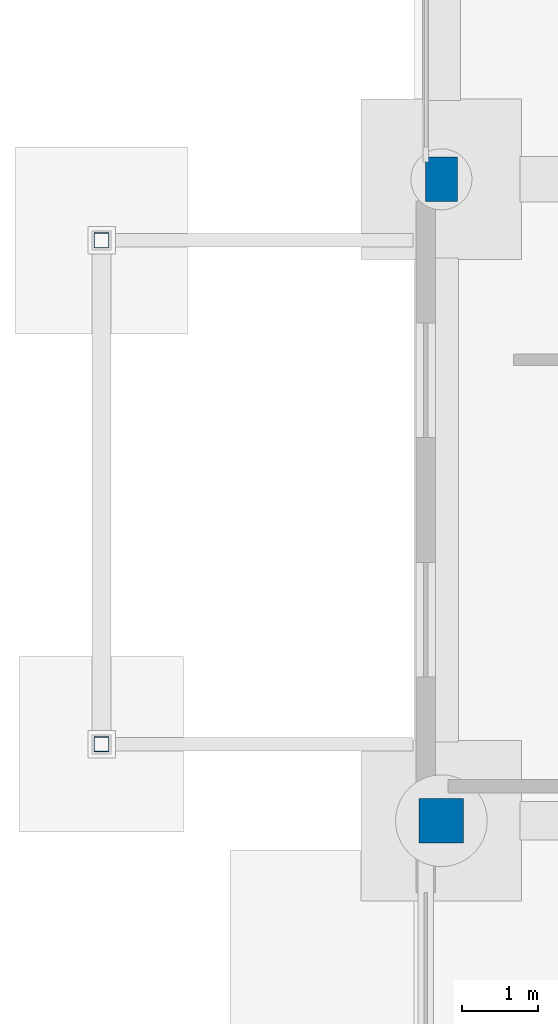
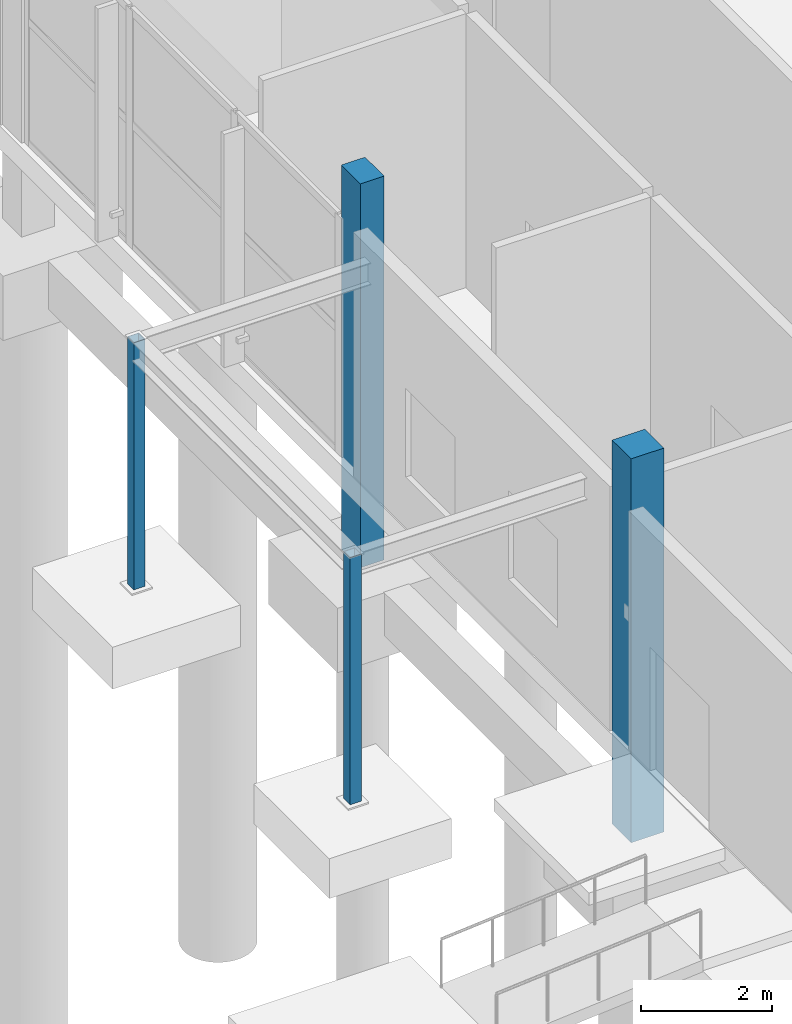
# One storey, part 13 of 88: 4 columns.
"""IFC4 building model written with IfcOpenShell, lengths in metres."""

from ifc_helpers import new_model, si_unit, direction, frame, origin, origin_2d, place, context, subcontext, project, spatial, rectangle, hollow_rectangle, extrude, material, material_profile, profile_set, type_object, element, save


model = new_model("IFC4")

# Units and contexts
model_context = context("Model", 3, precision=1e-05, world=origin(), true_north=direction((0.0, 1.0)))
body_context = subcontext(model_context, "Body", "Model", "MODEL_VIEW")
ifc_project = project(units=[si_unit("LENGTHUNIT", "METRE"), si_unit("AREAUNIT", "SQUARE_METRE"), si_unit("VOLUMEUNIT", "CUBIC_METRE"), si_unit("PLANEANGLEUNIT", "RADIAN"), si_unit("MASSUNIT", "GRAM", prefix="KILO")], contexts=[model_context])

# Site, building, storey
site_placement = place(None, origin())
site = spatial("IfcSite", under=ifc_project, at=site_placement, CompositionType="ELEMENT")
building_placement = place(site_placement, origin())
building = spatial("IfcBuilding", under=site, at=building_placement, Name="Birchvale Park Specialist Clinic", CompositionType="ELEMENT")
storey_placement = place(building_placement, origin())
storey = spatial("IfcBuildingStorey", under=building, at=storey_placement, Name="L00", CompositionType="ELEMENT", Elevation=0.0)

# Columns
ifc_material_1 = material(Name="Concrete C40/50", Category="concrete")
ifc_material_profile_1 = material_profile(ifc_material_1, rectangle(XDim=0.580078125, YDim=0.580078125, at=origin_2d()), Name="RC-580x580")
ifc_profile_set_1 = profile_set([ifc_material_profile_1], Name="Concrete C40/50")
column_type_1 = type_object("IfcColumnType", Name="COL-EXT-C03", PredefinedType="COLUMN", material=ifc_profile_set_1)
column_1_placement = place(storey_placement, frame((128.35009765625, 82.800048828125, -1.75), z_axis=(0.0, 0.0, 1.0), x_axis=(1.0, 0.0, 0.0)))
element("IfcColumn", 1, at=column_1_placement, inside=storey, type_object=column_type_1, Name="V6 L00 column 3", PredefinedType="COLUMN", context=body_context, shape_type="SweptSolid", body=[
    extrude(rectangle(XDim=0.580078125, YDim=0.580078125, at=origin_2d()), origin(), (0.0, 0.0, 1.0), 7.14990234375),
])
ifc_material_profile_2 = material_profile(ifc_material_1, rectangle(XDim=0.419921875, YDim=0.580078125, at=origin_2d()), Name="RC-420x580")
ifc_profile_set_2 = profile_set([ifc_material_profile_2], Name="Concrete C40/50")
column_type_2 = type_object("IfcColumnType", Name="COL-EXT-C10", PredefinedType="COLUMN", material=ifc_profile_set_2)
column_2_placement = place(storey_placement, frame((128.35009765625, 91.199951171875, -1.75), z_axis=(0.0, 0.0, 1.0), x_axis=(1.0, 0.0, 0.0)))
element("IfcColumn", 2, at=column_2_placement, inside=storey, type_object=column_type_2, Name="V6 L00 column 4", PredefinedType="COLUMN", context=body_context, shape_type="SweptSolid", body=[
    extrude(rectangle(XDim=0.419921875, YDim=0.580078125, at=origin_2d()), origin(), (0.0, 0.0, 1.0), 7.14990234375),
])
ifc_material_2 = material(Name="Steel ASTM A500 Grade C", Category="steel")
ifc_material_profile_3 = material_profile(ifc_material_2, hollow_rectangle(XDim=0.199951171875, YDim=0.199951171875, WallThickness=0.010009765625, at=origin_2d()), Name="HSS200X200X10")
ifc_profile_set_3 = profile_set([ifc_material_profile_3], Name="Steel ASTM A500 Grade C")
column_type_3 = type_object("IfcColumnType", Name="COL-STL-SC3", PredefinedType="COLUMN", material=ifc_profile_set_3)
for number, where, z_axis, x_axis, name in (
    (3, (123.89990234375, 83.800048828125, -0.27197265625), (0.0, 0.0, 1.0), (1.0, 0.0, 0.0), "L00 entrance canopy column 7"),
    (4, (123.89990234375, 90.39990234375, -0.27197265625), (0.0, 0.0, 1.0), (1.0, 0.0, 0.0), "L00 entrance canopy column 8"),
):
    element("IfcColumn", number, at=place(storey_placement, frame(where, z_axis=z_axis, x_axis=x_axis)), inside=storey, type_object=column_type_3, Name=name, PredefinedType="COLUMN", context=body_context, shape_type="SweptSolid", body=[
        extrude(hollow_rectangle(XDim=0.199951171875, YDim=0.199951171875, WallThickness=0.010009765625, at=origin_2d()), origin(), (0.0, 0.0, 1.0), 4.599853515625),
    ])

save(model, "model.ifc")
